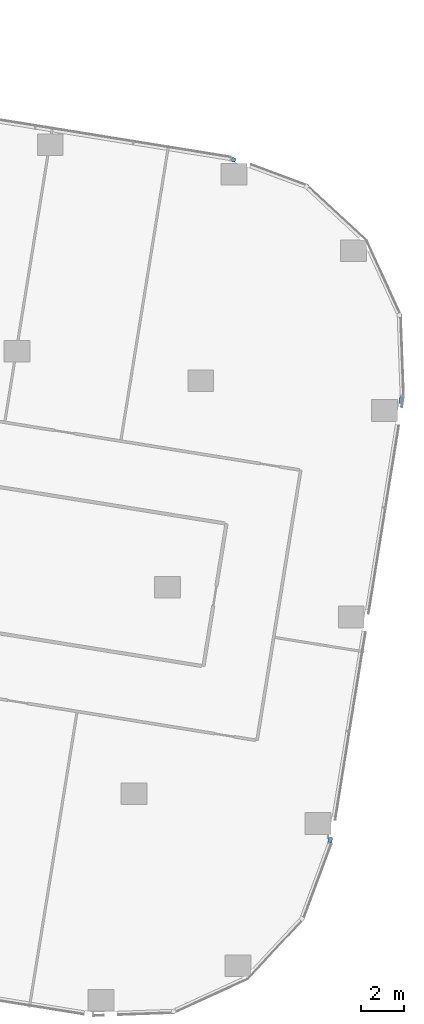
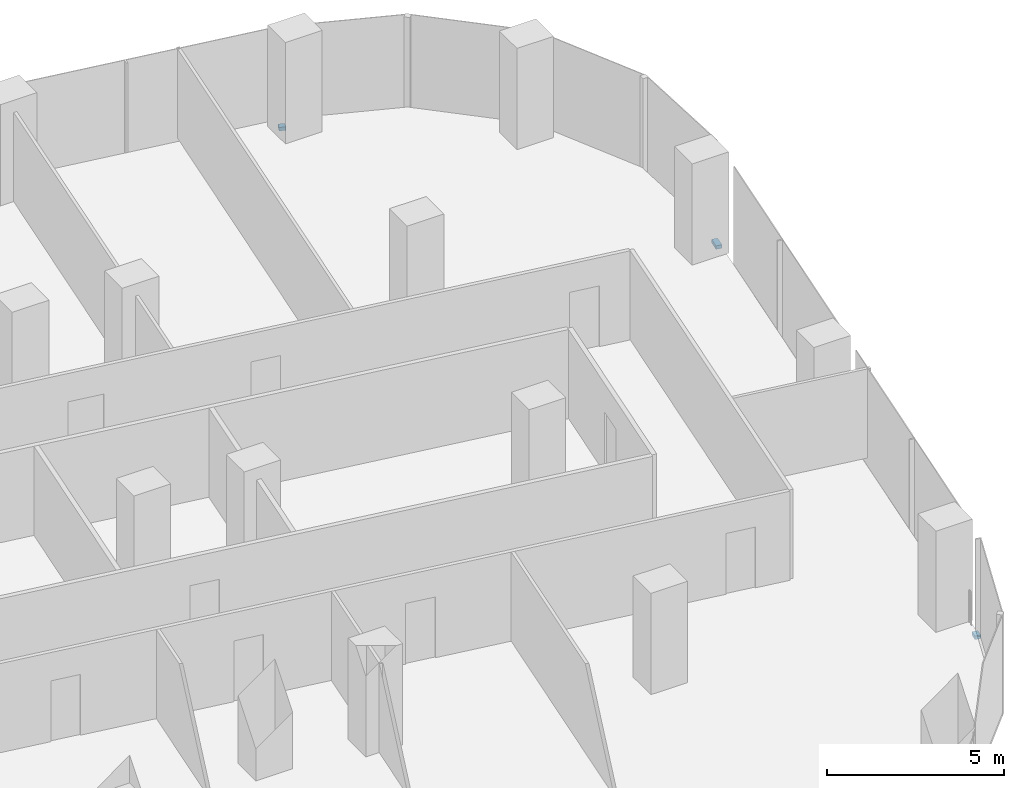
# One storey, part 17 of 34: 3 members, 2 elements without a shape of their own.
"""IFC4 building model written with IfcOpenShell, lengths in metres."""

from ifc_helpers import new_model, si_unit, direction, frame, origin, origin_2d, place, context, subcontext, project, spatial, rectangle, extrude, material, material_profile, profile_set, type_object, element, aggregate, save


model = new_model("IFC4")

# Units and contexts
model_context = context("Model", 3, precision=1e-05, world=origin(), true_north=direction((0.0, 1.0)))
body_context = subcontext(model_context, "Body", "Model", "MODEL_VIEW")
ifc_project = project(units=[si_unit("LENGTHUNIT", "METRE"), si_unit("AREAUNIT", "SQUARE_METRE"), si_unit("VOLUMEUNIT", "CUBIC_METRE"), si_unit("PLANEANGLEUNIT", "RADIAN"), si_unit("MASSUNIT", "GRAM", prefix="KILO")], contexts=[model_context])

# Site, building, storey
site_placement = place(None, origin())
site = spatial("IfcSite", under=ifc_project, at=site_placement, CompositionType="ELEMENT")
building_placement = place(site_placement, origin())
building = spatial("IfcBuilding", under=site, at=building_placement, Name="Orlundy Tower", CompositionType="ELEMENT")
storey_placement = place(building_placement, frame((0.0, 0.0, 130.699951171875)))
storey = spatial("IfcBuildingStorey", under=building, at=storey_placement, Name="L33", CompositionType="ELEMENT", Elevation=130.699951171875)

# Curtain wall, member
ifc_material_1 = material(Name="Aluminium bronze anodised", Category="aluminium")
curtain_wall_type = type_object("IfcCurtainWallType", Name="CW1 wall", PredefinedType="NOTDEFINED", material=ifc_material_1)
curtain_wall_1_placement = place(storey_placement, origin())
curtain_wall_1 = element("IfcCurtainWall", 1, at=curtain_wall_1_placement, inside=storey, type_object=curtain_wall_type, Name="CW1 run 07", PredefinedType="NOTDEFINED")
ifc_material_2 = material(Name="Aluminium bronze anodised", Category="aluminium")
ifc_material_profile = material_profile(ifc_material_2, rectangle(XDim=0.179931640625, YDim=0.1201171875, at=origin_2d()), Name="CW1 transom 180x120")
ifc_profile_set = profile_set([ifc_material_profile], Name="Aluminium bronze anodised")
member_type = type_object("IfcMemberType", Name="CW1 transom 180x120", PredefinedType="USERDEFINED", material=ifc_profile_set)
member_1_placement = place(storey_placement, frame((52.5947265625, 11.857666015625, -0.33984375), z_axis=(0.937154813765, -0.348913821792, 0.0), x_axis=(0.348913821792, 0.937154813765, 0.0)))
member_1 = element("IfcMember", 2, at=member_1_placement, type_object=member_type, Name="CW1 transom", ObjectType="TRANSOM", PredefinedType="USERDEFINED", context=body_context, shape_type="SweptSolid", body=[
    extrude(rectangle(XDim=0.179931640625, YDim=0.1201171875, at=origin_2d()), origin(), (0.0, 0.0, 1.0), 0.19384765625),
])
aggregate(curtain_wall_1, [member_1])

# Curtain wall, members
curtain_wall_2_placement = place(storey_placement, origin())
curtain_wall_2 = element("IfcCurtainWall", 3, at=curtain_wall_2_placement, inside=storey, type_object=curtain_wall_type, Name="CW1 run 011", PredefinedType="NOTDEFINED")
member_2_placement = place(storey_placement, frame((60.499267578125, 0.856689453125, -0.33984375), z_axis=(-0.15901506716, -0.987276156106, 0.0), x_axis=(0.987276156106, -0.15901506716, 0.0)))
member_2 = element("IfcMember", 4, at=member_2_placement, type_object=member_type, Name="CW1 transom", ObjectType="TRANSOM", PredefinedType="USERDEFINED", context=body_context, shape_type="SweptSolid", body=[
    extrude(rectangle(XDim=0.179931640625, YDim=0.1201171875, at=origin_2d()), origin(), (0.0, 0.0, 1.0), 0.35302734375),
])
member_3_placement = place(storey_placement, frame((57.1962890625, -19.60888671875, -0.33984375), z_axis=(-0.159394093986, -0.98721503372, 0.0), x_axis=(0.98721503372, -0.159394093986, 0.0)))
member_3 = element("IfcMember", 5, at=member_3_placement, type_object=member_type, Name="CW1 transom", ObjectType="TRANSOM", PredefinedType="USERDEFINED", context=body_context, shape_type="SweptSolid", body=[
    extrude(rectangle(XDim=0.179931640625, YDim=0.1201171875, at=origin_2d()), origin(), (0.0, 0.0, 1.0), 0.2373046875),
])
aggregate(curtain_wall_2, [member_2, member_3])

save(model, "model.ifc")
